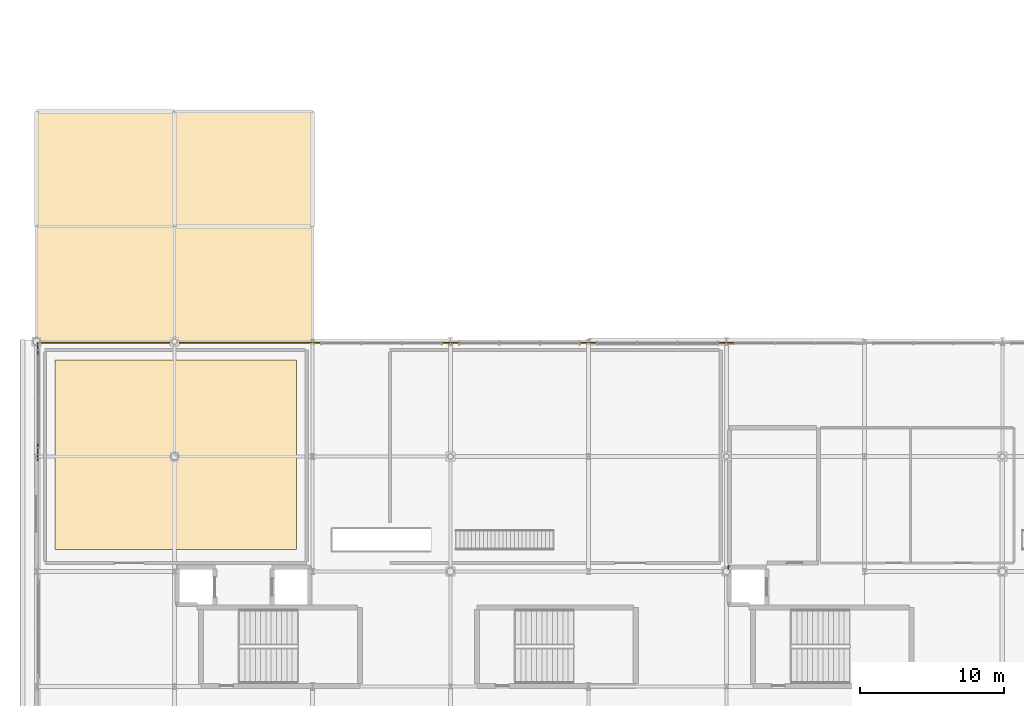
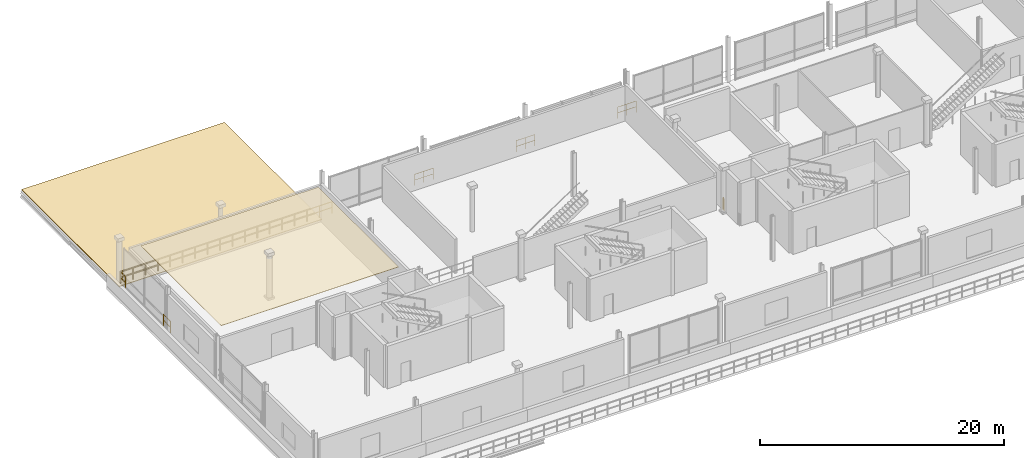
# One storey, part 32 of 36: 7 railings, 2 coverings.
"""IFC4 building model written with IfcOpenShell, lengths in metres."""

from ifc_helpers import new_model, si_unit, direction, frame, origin, origin_2d, place, context, subcontext, project, spatial, polyline, circle, outline, extrude, material, layer, layer_set, type_object, element, save


model = new_model("IFC4")

# Units and contexts
model_context = context("Model", 3, precision=1e-05, world=origin(), true_north=direction((0.0, 1.0)))
body_context = subcontext(model_context, "Body", "Model", "MODEL_VIEW")
ifc_project = project(units=[si_unit("LENGTHUNIT", "METRE"), si_unit("AREAUNIT", "SQUARE_METRE"), si_unit("VOLUMEUNIT", "CUBIC_METRE"), si_unit("PLANEANGLEUNIT", "RADIAN"), si_unit("MASSUNIT", "GRAM", prefix="KILO")], contexts=[model_context])

# Site, building, storey
site_placement = place(None, origin())
site = spatial("IfcSite", under=ifc_project, at=site_placement, CompositionType="ELEMENT")
building_placement = place(site_placement, origin())
building = spatial("IfcBuilding", under=site, at=building_placement, Name="Danafjord Basin Convention Centre", CompositionType="ELEMENT")
storey_placement = place(building_placement, frame((0.0, 0.0, 20.39990234375)))
storey = spatial("IfcBuildingStorey", under=building, at=storey_placement, Name="L04", CompositionType="ELEMENT", Elevation=20.39990234375)

# Coverings
ifc_material_1 = material(Name="Perforated Nordic birch acoustic slats")
ifc_layer_1 = layer(ifc_material_1, 0.0400390625)
ifc_layer_set_1 = layer_set([ifc_layer_1], Name="Perforated Nordic birch acoustic slats")
covering_type_1 = type_object("IfcCoveringType", Name="COV-CLG-AC01", PredefinedType="CEILING", material=ifc_layer_set_1)
covering_1_placement = place(storey_placement, frame((0.0, 0.0, 3.989990234375)))
element("IfcCovering", 1, at=covering_1_placement, inside=storey, type_object=covering_type_1, Name="Bilateral Conference Suite S401 acoustic ceiling", PredefinedType="CEILING", context=body_context, shape_type="SweptSolid", body=[
    extrude(outline(polyline([(18.10009765625, 38.699951171875), (18.10009765625, 25.5400390625), (1.300048828125, 25.5400390625), (1.300048828125, 38.699951171875), (18.10009765625, 38.699951171875)])), origin(), (0.0, 0.0, 1.0), 0.0400390625),
])
ifc_material_2 = material(Name="EPDM insulated roof membrane")
ifc_layer_2 = layer(ifc_material_2, 0.06005859375)
ifc_layer_set_2 = layer_set([ifc_layer_2], Name="EPDM insulated roof membrane")
covering_type_2 = type_object("IfcCoveringType", Name="COV-ROOF-EPDM", PredefinedType="ROOFING", material=ifc_layer_set_2)
covering_2_placement = place(storey_placement, frame((0.0, 0.0, -0.419921875)))
element("IfcCovering", 2, at=covering_2_placement, inside=storey, type_object=covering_type_2, Name="L04 roof membrane RF-FLAT-C4", PredefinedType="ROOFING", context=body_context, shape_type="SweptSolid", body=[
    extrude(outline(polyline([(0.0, 40.0), (0.0, 56.0), (19.199951171875, 56.0), (19.199951171875, 40.0), (0.0, 40.0)])), origin(), (0.0, 0.0, 1.0), 0.06005859375),
])

# Railings
ifc_material_3 = material(Name="Laminated structural glass and stainless steel", Category="steel")
railing_type_1 = type_object("IfcRailingType", Name="RL-BAL-GLS", PredefinedType="BALUSTRADE", material=ifc_material_3)
railing_1_placement = place(storey_placement, frame((0.080078125, 39.919921875, 0.0)))
element("IfcRailing", 3, at=railing_1_placement, inside=storey, type_object=railing_type_1, Name="L04 safety guard balustrade 279", PredefinedType="BALUSTRADE", context=body_context, shape_type="SweptSolid", body=[
    extrude(circle(Radius=0.02392578125, at=origin_2d()), frame((0.0, 0.0, 1.1259765625), z_axis=(1.0, 0.0, 0.0), x_axis=(0.0, 1.0, 0.0)), (0.0, 0.0, 1.0), 20.0),
    extrude(circle(Radius=0.02392578125, at=origin_2d()), frame((0.0, 0.0, 0.55078125), z_axis=(1.0, 0.0, 0.0), x_axis=(0.0, 1.0, 0.0)), (0.0, 0.0, 1.0), 20.0),
    extrude(circle(Radius=0.02099609375, at=origin_2d()), origin(), (0.0, 0.0, 1.0), 1.099853515625),
    extrude(circle(Radius=0.02099609375, at=origin_2d()), frame((1.176513671875, 0.0, 0.0)), (0.0, 0.0, 1.0), 1.099853515625),
    extrude(circle(Radius=0.02099609375, at=origin_2d()), frame((2.35302734375, 0.0, 0.0)), (0.0, 0.0, 1.0), 1.099853515625),
    extrude(circle(Radius=0.02099609375, at=origin_2d()), frame((3.529296875, 0.0, 0.0)), (0.0, 0.0, 1.0), 1.099853515625),
    extrude(circle(Radius=0.02099609375, at=origin_2d()), frame((4.705810546875, 0.0, 0.0)), (0.0, 0.0, 1.0), 1.099853515625),
    extrude(circle(Radius=0.02099609375, at=origin_2d()), frame((5.88232421875, 0.0, 0.0)), (0.0, 0.0, 1.0), 1.099853515625),
    extrude(circle(Radius=0.02099609375, at=origin_2d()), frame((7.058837890625, 0.0, 0.0)), (0.0, 0.0, 1.0), 1.099853515625),
    extrude(circle(Radius=0.02099609375, at=origin_2d()), frame((8.2353515625, 0.0, 0.0)), (0.0, 0.0, 1.0), 1.099853515625),
    extrude(circle(Radius=0.02099609375, at=origin_2d()), frame((9.411865234375, 0.0, 0.0)), (0.0, 0.0, 1.0), 1.099853515625),
    extrude(circle(Radius=0.02099609375, at=origin_2d()), frame((10.588134765625, 0.0, 0.0)), (0.0, 0.0, 1.0), 1.099853515625),
    extrude(circle(Radius=0.02099609375, at=origin_2d()), frame((11.7646484375, 0.0, 0.0)), (0.0, 0.0, 1.0), 1.099853515625),
    extrude(circle(Radius=0.02099609375, at=origin_2d()), frame((12.941162109375, 0.0, 0.0)), (0.0, 0.0, 1.0), 1.099853515625),
    extrude(circle(Radius=0.02099609375, at=origin_2d()), frame((14.11767578125, 0.0, 0.0)), (0.0, 0.0, 1.0), 1.099853515625),
    extrude(circle(Radius=0.02099609375, at=origin_2d()), frame((15.294189453125, 0.0, 0.0)), (0.0, 0.0, 1.0), 1.099853515625),
    extrude(circle(Radius=0.02099609375, at=origin_2d()), frame((16.470703125, 0.0, 0.0)), (0.0, 0.0, 1.0), 1.099853515625),
    extrude(circle(Radius=0.02099609375, at=origin_2d()), frame((17.64697265625, 0.0, 0.0)), (0.0, 0.0, 1.0), 1.099853515625),
    extrude(circle(Radius=0.02099609375, at=origin_2d()), frame((18.823486328125, 0.0, 0.0)), (0.0, 0.0, 1.0), 1.099853515625),
    extrude(circle(Radius=0.02099609375, at=origin_2d()), frame((20.0, 0.0, 0.0)), (0.0, 0.0, 1.0), 1.099853515625),
])
for number, where, name in (
    (4, (27.919921875, 39.919921875, 0.0), "L04 safety guard balustrade 280"),
    (5, (37.52001953125, 39.919921875, 0.0), "L04 safety guard balustrade 281"),
):
    element("IfcRailing", number, at=place(storey_placement, frame(where)), inside=storey, type_object=railing_type_1, Name=name, PredefinedType="BALUSTRADE", context=body_context, shape_type="SweptSolid", body=[
        extrude(circle(Radius=0.02392578125, at=origin_2d()), frame((0.0, 0.0, 1.1259765625), z_axis=(1.0, 0.0, 0.0), x_axis=(0.0, 1.0, 0.0)), (0.0, 0.0, 1.0), 1.760009765625),
        extrude(circle(Radius=0.02392578125, at=origin_2d()), frame((0.0, 0.0, 0.55078125), z_axis=(1.0, 0.0, 0.0), x_axis=(0.0, 1.0, 0.0)), (0.0, 0.0, 1.0), 1.760009765625),
        extrude(circle(Radius=0.02099609375, at=origin_2d()), origin(), (0.0, 0.0, 1.0), 1.099853515625),
        extrude(circle(Radius=0.02099609375, at=origin_2d()), frame((0.8798828125, 0.0, 0.0)), (0.0, 0.0, 1.0), 1.099853515625),
        extrude(circle(Radius=0.02099609375, at=origin_2d()), frame((1.760009765625, 0.0, 0.0)), (0.0, 0.0, 1.0), 1.099853515625),
    ])
railing_2_placement = place(storey_placement, frame((47.1201171875, 39.919921875, 0.0)))
element("IfcRailing", 6, at=railing_2_placement, inside=storey, type_object=railing_type_1, Name="L04 safety guard balustrade 282", PredefinedType="BALUSTRADE", context=body_context, shape_type="SweptSolid", body=[
    extrude(circle(Radius=0.02392578125, at=origin_2d()), frame((0.0, 0.0, 1.1259765625), z_axis=(1.0, 0.0, 0.0), x_axis=(0.0, 1.0, 0.0)), (0.0, 0.0, 1.0), 1.759765625),
    extrude(circle(Radius=0.02392578125, at=origin_2d()), frame((0.0, 0.0, 0.55078125), z_axis=(1.0, 0.0, 0.0), x_axis=(0.0, 1.0, 0.0)), (0.0, 0.0, 1.0), 1.759765625),
    extrude(circle(Radius=0.02099609375, at=origin_2d()), origin(), (0.0, 0.0, 1.0), 1.099853515625),
    extrude(circle(Radius=0.02099609375, at=origin_2d()), frame((0.8798828125, 0.0, 0.0)), (0.0, 0.0, 1.0), 1.099853515625),
    extrude(circle(Radius=0.02099609375, at=origin_2d()), frame((1.759765625, 0.0, 0.0)), (0.0, 0.0, 1.0), 1.099853515625),
])
railing_3_placement = place(storey_placement, frame((0.080078125, 31.719970703125, 0.0)))
element("IfcRailing", 7, at=railing_3_placement, inside=storey, type_object=railing_type_1, Name="L04 safety guard balustrade 291", PredefinedType="BALUSTRADE", context=body_context, shape_type="SweptSolid", body=[
    extrude(circle(Radius=0.02392578125, at=origin_2d()), frame((0.0, 0.0, 1.1259765625), z_axis=(0.0, 1.0, 0.0), x_axis=(-1.0, 0.0, 0.0)), (0.0, 0.0, 1.0), 1.159912109375),
    extrude(circle(Radius=0.02392578125, at=origin_2d()), frame((0.0, 0.0, 0.55078125), z_axis=(0.0, 1.0, 0.0), x_axis=(-1.0, 0.0, 0.0)), (0.0, 0.0, 1.0), 1.159912109375),
    extrude(circle(Radius=0.02099609375, at=origin_2d()), origin(), (0.0, 0.0, 1.0), 1.099853515625),
    extrude(circle(Radius=0.02099609375, at=origin_2d()), frame((0.0, 1.159912109375, 0.0)), (0.0, 0.0, 1.0), 1.099853515625),
])
railing_4_placement = place(storey_placement, frame((0.080078125, 39.1201171875, 0.0)))
element("IfcRailing", 8, at=railing_4_placement, inside=storey, type_object=railing_type_1, Name="L04 safety guard balustrade 292", PredefinedType="BALUSTRADE", context=body_context, shape_type="SweptSolid", body=[
    extrude(circle(Radius=0.02392578125, at=origin_2d()), frame((0.0, 0.0, 1.1259765625), z_axis=(0.0, 1.0, 0.0), x_axis=(-1.0, 0.0, 0.0)), (0.0, 0.0, 1.0), 0.7998046875),
    extrude(circle(Radius=0.02392578125, at=origin_2d()), frame((0.0, 0.0, 0.55078125), z_axis=(0.0, 1.0, 0.0), x_axis=(-1.0, 0.0, 0.0)), (0.0, 0.0, 1.0), 0.7998046875),
    extrude(circle(Radius=0.02099609375, at=origin_2d()), origin(), (0.0, 0.0, 1.0), 1.099853515625),
    extrude(circle(Radius=0.02099609375, at=origin_2d()), frame((0.0, 0.7998046875, 0.0)), (0.0, 0.0, 1.0), 1.099853515625),
])
ifc_material_4 = material(Name="Galvanised and powder-coated steel S355", Category="steel")
railing_type_2 = type_object("IfcRailingType", Name="RL-BAL-STL", PredefinedType="BALUSTRADE", material=ifc_material_4)
railing_5_placement = place(storey_placement, frame((48.199951171875, 24.3798828125, 0.0)))
element("IfcRailing", 9, at=railing_5_placement, inside=storey, type_object=railing_type_2, Name="L04 safety guard balustrade 301", PredefinedType="BALUSTRADE", context=body_context, shape_type="SweptSolid", body=[
    extrude(circle(Radius=0.02392578125, at=origin_2d()), frame((0.0, 0.0, 1.1259765625), z_axis=(-1.0, 0.0, 0.0), x_axis=(0.0, -1.0, 0.0)), (0.0, 0.0, 1.0), 0.079833984375),
    extrude(circle(Radius=0.02392578125, at=origin_2d()), frame((0.0, 0.0, 0.55078125), z_axis=(-1.0, 0.0, 0.0), x_axis=(0.0, -1.0, 0.0)), (0.0, 0.0, 1.0), 0.079833984375),
    extrude(circle(Radius=0.02392578125, at=origin_2d()), frame((-0.079833984375, 0.0, 1.1259765625), z_axis=(0.0, -1.0, 0.0), x_axis=(1.0, 0.0, 0.0)), (0.0, 0.0, 1.0), 0.21484375),
    extrude(circle(Radius=0.02392578125, at=origin_2d()), frame((-0.079833984375, 0.0, 0.55078125), z_axis=(0.0, -1.0, 0.0), x_axis=(1.0, 0.0, 0.0)), (0.0, 0.0, 1.0), 0.21484375),
    extrude(circle(Radius=0.02099609375, at=origin_2d()), origin(), (0.0, 0.0, 1.0), 1.099853515625),
    extrude(circle(Radius=0.02099609375, at=origin_2d()), frame((-0.079833984375, 0.0, 0.0)), (0.0, 0.0, 1.0), 1.099853515625),
    extrude(circle(Radius=0.02099609375, at=origin_2d()), frame((-0.079833984375, -0.21484375, 0.0)), (0.0, 0.0, 1.0), 1.099853515625),
])

save(model, "model.ifc")
